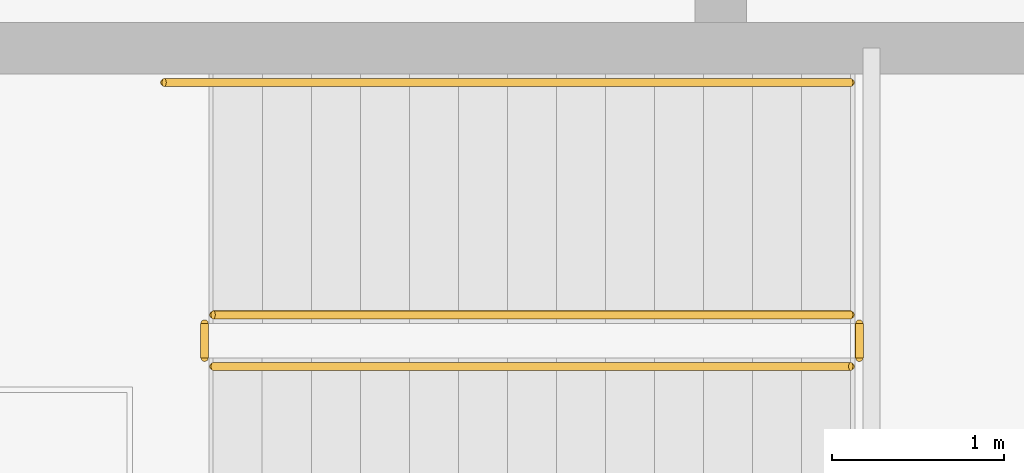
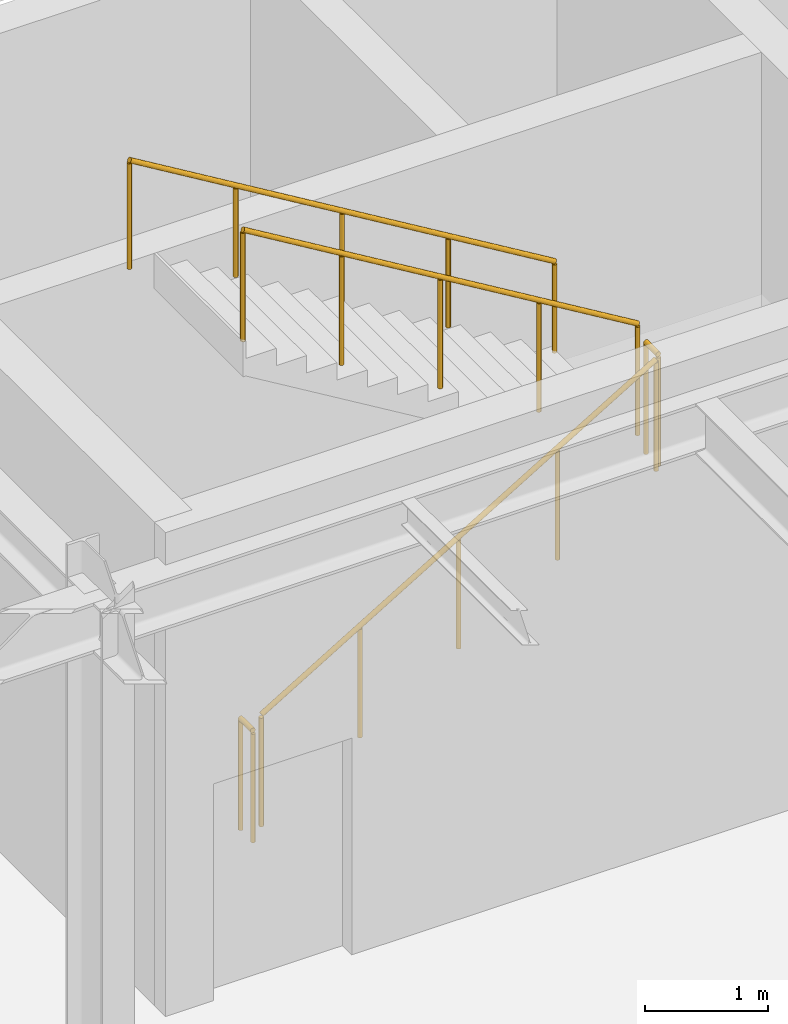
# One storey, part 57 of 59: 5 railings.
"""IFC4 building model written with IfcOpenShell, lengths in metres."""

from ifc_helpers import new_model, si_unit, direction, frame, origin, origin_2d, place, context, subcontext, project, spatial, circle, extrude, material, layer, layer_set, type_object, element, save


model = new_model("IFC4")

# Units and contexts
model_context = context("Model", 3, precision=1e-05, world=origin(), true_north=direction((0.0, 1.0)))
body_context = subcontext(model_context, "Body", "Model", "MODEL_VIEW")
ifc_project = project(units=[si_unit("LENGTHUNIT", "METRE"), si_unit("AREAUNIT", "SQUARE_METRE"), si_unit("VOLUMEUNIT", "CUBIC_METRE"), si_unit("PLANEANGLEUNIT", "RADIAN"), si_unit("MASSUNIT", "GRAM", prefix="KILO")], contexts=[model_context])

# Site, building, storey
site_placement = place(None, origin())
site = spatial("IfcSite", under=ifc_project, at=site_placement, CompositionType="ELEMENT")
building_placement = place(site_placement, origin())
building = spatial("IfcBuilding", under=site, at=building_placement, Name="Montealbar Specialist Clinic", CompositionType="ELEMENT")
storey_placement = place(building_placement, frame((0.0, 0.0, -4.800048828125)))
storey = spatial("IfcBuildingStorey", under=building, at=storey_placement, Name="B01", CompositionType="ELEMENT", Elevation=-4.800048828125)

# Railings
ifc_material = material(Name="Steel S355", Category="steel")
ifc_layer_1 = layer(ifc_material, 0.050048828125, Name="Steel S355", Category="steel")
ifc_layer_set_1 = layer_set([ifc_layer_1], Name="Steel S355")
railing_type_1 = type_object("IfcRailingType", Name="RAIL-STAIR-BAL-1100", PredefinedType="BALUSTRADE", material=ifc_layer_set_1)
railing_1_placement = place(storey_placement, frame((147.75, 46.800048828125, 0.17138671875)))
element("IfcRailing", 1, at=railing_1_placement, inside=storey, type_object=railing_type_1, Name="B01 ST-06 stair guard 1", PredefinedType="BALUSTRADE", context=body_context, shape_type="SweptSolid", body=[
    extrude(circle(Radius=0.02392578125, at=origin_2d()), frame((0.0, 0.0, 1.076171875), z_axis=(0.856909459561, 0.0, 0.515466951525), x_axis=(0.0, 1.0, 0.0)), (0.0, 0.0, 1.0), 4.32373046875),
    extrude(circle(Radius=0.02099609375, at=origin_2d()), frame((0.0, 0.0, -0.02490234375)), (0.0, 0.0, 1.0), 1.076904296875),
    extrude(circle(Radius=0.02099609375, at=origin_2d()), frame((0.92626953125, 0.0, 0.5322265625)), (0.0, 0.0, 1.0), 1.076904296875),
    extrude(circle(Radius=0.02099609375, at=origin_2d()), frame((1.8525390625, 0.0, 1.08935546875)), (0.0, 0.0, 1.0), 1.076904296875),
    extrude(circle(Radius=0.02099609375, at=origin_2d()), frame((2.77880859375, 0.0, 1.646484375)), (0.0, 0.0, 1.0), 1.076904296875),
    extrude(circle(Radius=0.02099609375, at=origin_2d()), frame((3.705078125, 0.0, 2.203857421875)), (0.0, 0.0, 1.0), 1.076904296875),
])
railing_2_placement = place(storey_placement, frame((151.5048828125, 46.85009765625, 2.400146484375)))
element("IfcRailing", 2, at=railing_2_placement, inside=storey, type_object=railing_type_1, Name="B01 ST-06 stair guard 2", PredefinedType="BALUSTRADE", context=body_context, shape_type="SweptSolid", body=[
    extrude(circle(Radius=0.02392578125, at=origin_2d()), frame((0.0, 0.0, 1.076171875), z_axis=(0.0, 1.0, 0.0), x_axis=(-1.0, 0.0, 0.0)), (0.0, 0.0, 1.0), 0.199951171875),
    extrude(circle(Radius=0.02099609375, at=origin_2d()), frame((0.0, 0.0, -0.02490234375)), (0.0, 0.0, 1.0), 1.076904296875),
    extrude(circle(Radius=0.02099609375, at=origin_2d()), frame((0.0, 0.199951171875, -0.02490234375)), (0.0, 0.0, 1.0), 1.076904296875),
])
railing_3_placement = place(storey_placement, frame((151.455078125, 47.10009765625, 2.571533203125)))
element("IfcRailing", 3, at=railing_3_placement, inside=storey, type_object=railing_type_1, Name="B01 ST-06 stair guard 3", PredefinedType="BALUSTRADE", context=body_context, shape_type="SweptSolid", body=[
    extrude(circle(Radius=0.02392578125, at=origin_2d()), frame((0.0, 0.0, 1.076171875), z_axis=(-0.856934400257, 0.0, 0.515425487977), x_axis=(0.0, -1.0, 0.0)), (0.0, 0.0, 1.0), 4.32373046875),
    extrude(circle(Radius=0.02099609375, at=origin_2d()), frame((0.0, 0.0, -0.02490234375)), (0.0, 0.0, 1.0), 1.076904296875),
    extrude(circle(Radius=0.02099609375, at=origin_2d()), frame((-0.92626953125, 0.0, 0.5322265625)), (0.0, 0.0, 1.0), 1.076904296875),
    extrude(circle(Radius=0.02099609375, at=origin_2d()), frame((-1.8525390625, 0.0, 1.08935546875)), (0.0, 0.0, 1.0), 1.076904296875),
    extrude(circle(Radius=0.02099609375, at=origin_2d()), frame((-2.77880859375, 0.0, 1.646484375)), (0.0, 0.0, 1.0), 1.076904296875),
    extrude(circle(Radius=0.02099609375, at=origin_2d()), frame((-3.705078125, 0.0, 2.20361328125)), (0.0, 0.0, 1.0), 1.076904296875),
])
railing_4_placement = place(storey_placement, frame((147.699951171875, 46.85009765625, 0.0)))
element("IfcRailing", 4, at=railing_4_placement, inside=storey, type_object=railing_type_1, Name="B01 ST-06 stair guard 4", PredefinedType="BALUSTRADE", context=body_context, shape_type="SweptSolid", body=[
    extrude(circle(Radius=0.02392578125, at=origin_2d()), frame((0.0, 0.0, 1.076171875), z_axis=(0.0, 1.0, 0.0), x_axis=(-1.0, 0.0, 0.0)), (0.0, 0.0, 1.0), 0.199951171875),
    extrude(circle(Radius=0.02099609375, at=origin_2d()), frame((0.0, 0.0, -0.02490234375)), (0.0, 0.0, 1.0), 1.076904296875),
    extrude(circle(Radius=0.02099609375, at=origin_2d()), frame((0.0, 0.199951171875, -0.02490234375)), (0.0, 0.0, 1.0), 1.076904296875),
])
ifc_layer_2 = layer(ifc_material, 0.044921875, Name="Steel S355", Category="steel")
ifc_layer_set_2 = layer_set([ifc_layer_2], Name="Steel S355")
railing_type_2 = type_object("IfcRailingType", Name="RAIL-STAIR-HR-900", PredefinedType="HANDRAIL", material=ifc_layer_set_2)
railing_5_placement = place(storey_placement, frame((151.455078125, 48.449951171875, 2.571533203125)))
element("IfcRailing", 5, at=railing_5_placement, inside=storey, type_object=railing_type_2, Name="B01 ST-06 stair handrail 2", PredefinedType="HANDRAIL", context=body_context, shape_type="SweptSolid", body=[
    extrude(circle(Radius=0.02392578125, at=origin_2d()), frame((0.0, 0.0, 0.8759765625), z_axis=(-0.856932605607, 0.0, 0.515428471708), x_axis=(0.0, -1.0, 0.0)), (0.0, 0.0, 1.0), 4.65625),
    extrude(circle(Radius=0.02099609375, at=origin_2d()), frame((0.0, 0.0, -0.02490234375)), (0.0, 0.0, 1.0), 0.876708984375),
    extrude(circle(Radius=0.02099609375, at=origin_2d()), frame((-0.99755859375, 0.0, 0.574951171875)), (0.0, 0.0, 1.0), 0.876708984375),
    extrude(circle(Radius=0.02099609375, at=origin_2d()), frame((-1.9951171875, 0.0, 1.175048828125)), (0.0, 0.0, 1.0), 0.876708984375),
    extrude(circle(Radius=0.02099609375, at=origin_2d()), frame((-2.992431640625, 0.0, 1.77490234375)), (0.0, 0.0, 1.0), 0.876708984375),
    extrude(circle(Radius=0.02099609375, at=origin_2d()), frame((-3.989990234375, 0.0, 2.20361328125)), (0.0, 0.0, 1.0), 1.048095703125),
])

save(model, "model.ifc")
